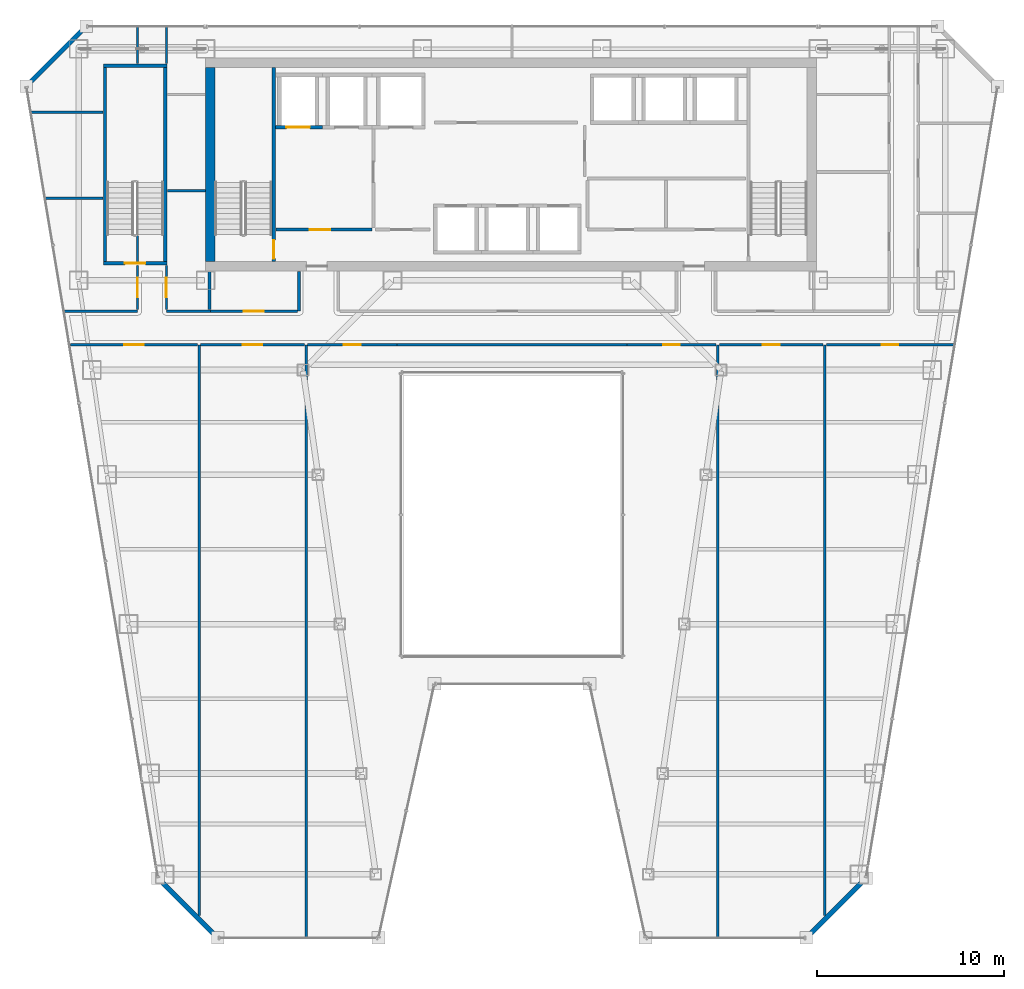
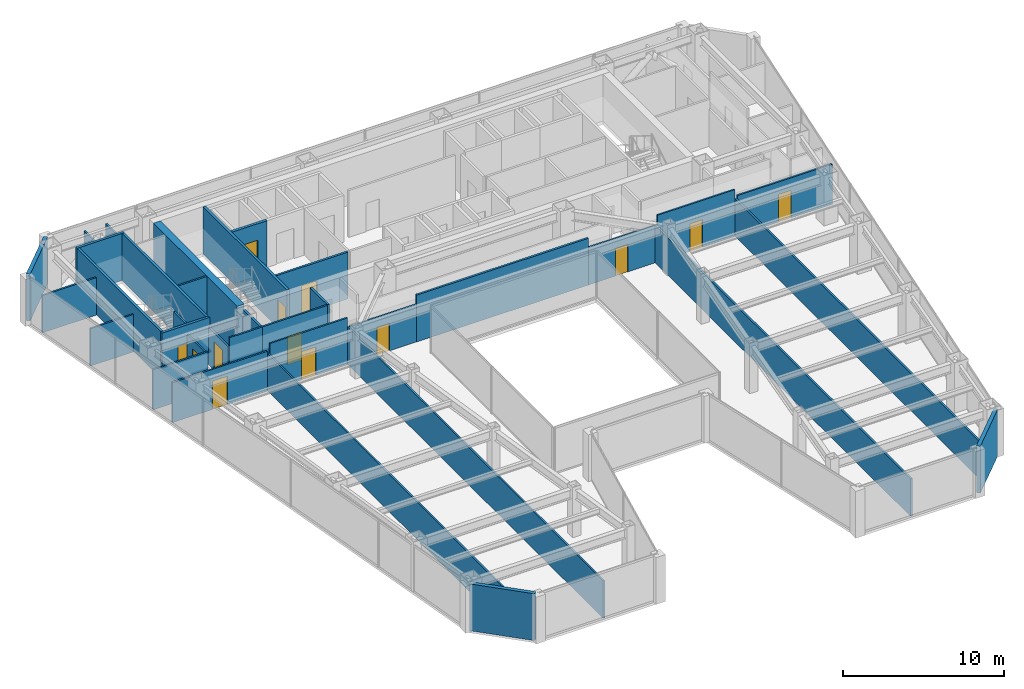
# One storey, part 33 of 40: 35 walls, 13 doors, 13 openings.
"""IFC4 building model written with IfcOpenShell, lengths in metres."""

from ifc_helpers import new_model, si_unit, direction, frame, frame_2d, origin, place, context, subcontext, project, spatial, rectangle, extrude, material, layer, layer_set, type_object, element, fill, save


model = new_model("IFC4")

# Units and contexts
model_context = context("Model", 3, precision=1e-05, world=origin(), true_north=direction((0.0, 1.0)))
body_context = subcontext(model_context, "Body", "Model", "MODEL_VIEW")
ifc_project = project(units=[si_unit("LENGTHUNIT", "METRE"), si_unit("AREAUNIT", "SQUARE_METRE"), si_unit("VOLUMEUNIT", "CUBIC_METRE"), si_unit("PLANEANGLEUNIT", "RADIAN"), si_unit("MASSUNIT", "GRAM", prefix="KILO")], contexts=[model_context])

# Site, building, storey
site_placement = place(None, origin())
site = spatial("IfcSite", under=ifc_project, at=site_placement, CompositionType="ELEMENT")
building_placement = place(site_placement, origin())
building = spatial("IfcBuilding", under=site, at=building_placement, Name="Saevonmaru Cultural Tower", CompositionType="ELEMENT")
storey_placement = place(building_placement, frame((0.0, 0.0, 129.60009765625)))
storey = spatial("IfcBuildingStorey", under=building, at=storey_placement, Name="L27", CompositionType="ELEMENT", Elevation=129.60009765625)

# Wall
ifc_material_1 = material(Name="Concrete C60/75", Category="concrete")
ifc_layer_1 = layer(ifc_material_1, 0.5, Name="Concrete C60/75")
ifc_layer_set_1 = layer_set([ifc_layer_1], Name="Concrete C60/75")
wall_type_1 = type_object("IfcWallType", Name="WL-CORE-500", PredefinedType="SHEAR", material=ifc_layer_set_1)
wall_1_placement = place(storey_placement, frame((13.85009765625, 43.39990234375, 0.0), z_axis=(0.0, 0.0, 1.0), x_axis=(0.0, 1.0, 0.0)))
element("IfcWall", 1, at=wall_1_placement, inside=storey, type_object=wall_type_1, Name="L27 Tower RC core shear wall W", PredefinedType="SHEAR", context=body_context, shape_type="SweptSolid", body=[
    extrude(rectangle(XDim=10.400146484375, YDim=0.5, at=frame_2d((5.2001953125, 0.0))), origin(), (0.0, 0.0, 1.0), 3.5498046875),
])

# Wall, opening, door
ifc_material_2 = material(Name="Gypsum Fireboard Partition", Category="gypsum")
ifc_layer_2 = layer(ifc_material_2, 0.14990234375, Name="Gypsum Fireboard Partition")
ifc_layer_set_2 = layer_set([ifc_layer_2], Name="Gypsum Fireboard Partition")
wall_type_2 = type_object("IfcWallType", Name="WL-CORE-PART-150", PredefinedType="PARTITIONING", material=ifc_layer_set_2)
wall_2_placement = place(storey_placement, frame((17.360107421875, 45.1201171875, 0.0), z_axis=(0.0, 0.0, 1.0), x_axis=(1.0, 0.0, 0.0)))
wall_2 = element("IfcWall", 2, at=wall_2_placement, inside=storey, type_object=wall_type_2, Name="L27 Firefighting Lift Lobby South Wall", PredefinedType="PARTITIONING", context=body_context, shape_type="SweptSolid", body=[
    extrude(rectangle(XDim=5.139892578125, YDim=0.14990234375, at=frame_2d((2.56982421875, 0.0))), origin(), (0.0, 0.0, 1.0), 3.5498046875),
])
opening_1_placement = place(wall_2_placement, frame((1.800048828125, 0.0, 0.0)))
opening_1 = element("IfcOpeningElement", 3, at=opening_1_placement, cuts=wall_2, Name="Opening FD-2", PredefinedType="OPENING", context=body_context, shape_type="SweptSolid", body=[
    extrude(rectangle(XDim=1.10009765625, YDim=2.14990234375, at=frame_2d((0.550048828125, 1.074951171875))), frame((0.0, 0.0849609375, 0.0), z_axis=(0.0, -1.0, 0.0), x_axis=(1.0, 0.0, 0.0)), (0.0, 0.0, 1.0), 0.169921875),
])
ifc_material_3 = material(Name="Satin Bronze Anodised Aluminium", Category="aluminium")
door_type_1 = type_object("IfcDoorType", Name="DR-FD60-1100", OperationType="SINGLE_SWING_LEFT", PredefinedType="DOOR", material=ifc_material_3)
door_1_placement = place(opening_1_placement, origin())
door_1 = element("IfcDoor", 4, at=door_1_placement, inside=storey, type_object=door_type_1, Name="L27 Firefighting Lift Lobby South Door", OperationType="SINGLE_SWING_LEFT", OverallHeight=2.14990234375, OverallWidth=1.10009765625, PredefinedType="DOOR", context=body_context, shape_type="SweptSolid", body=[
    extrude(rectangle(XDim=1.10009765625, YDim=2.14990234375, at=frame_2d((0.550048828125, 1.074951171875))), frame((0.0, 0.02490234375, 0.0), z_axis=(0.0, -1.0, 0.0), x_axis=(1.0, 0.0, 0.0)), (0.0, 0.0, 1.0), 0.050048828125),
])
fill(opening_1, door_1)

# Walls
ifc_material_4 = material(Name="Granite-Clad Precast Concrete C40/50", Category="masonry")
ifc_layer_3 = layer(ifc_material_4, 0.260009765625, Name="Granite-Clad Precast Concrete C40/50")
ifc_layer_set_3 = layer_set([ifc_layer_3], Name="Granite-Clad Precast Concrete C40/50")
wall_type_3 = type_object("IfcWallType", Name="WL-EXT-SPANDREL-260", PredefinedType="STANDARD", material=ifc_layer_set_3)
for number, where, z_axis, x_axis, name in (
    (5, (11.162109375, 10.286865234375, 0.0), (0.0, 0.0, 1.0), (0.70707775441, -0.707135806771, 0.0), "L27 Chamfer Corner Spandrel Wall E1"),
    (6, (45.8642578125, 7.31298828125, 0.0), (0.0, 0.0, 1.0), (0.70707775441, 0.707135806771, 0.0), "L27 Chamfer Corner Spandrel Wall E7"),
):
    element("IfcWall", number, at=place(storey_placement, frame(where, z_axis=z_axis, x_axis=x_axis)), inside=storey, type_object=wall_type_3, Name=name, PredefinedType="STANDARD", context=body_context, shape_type="SweptSolid", body=[
        extrude(rectangle(XDim=4.20556640625, YDim=0.260009765625, at=frame_2d((2.102783203125, 0.0))), origin(), (0.0, 0.0, 1.0), 3.5498046875),
    ])
wall_3_placement = place(storey_placement, frame((7.0869140625, 55.886962890625, 0.0), z_axis=(0.0, 0.0, 1.0), x_axis=(-0.707106781187, -0.707106781187, 0.0)))
element("IfcWall", 7, at=wall_3_placement, inside=storey, type_object=wall_type_3, Name="L27 Chamfer Corner Spandrel Wall E11", PredefinedType="STANDARD", context=body_context, shape_type="SweptSolid", body=[
    extrude(rectangle(XDim=4.205810546875, YDim=0.260009765625, at=frame_2d((2.10302734375, 0.0))), origin(), (0.0, 0.0, 1.0), 3.5498046875),
])
ifc_layer_4 = layer(ifc_material_2, 0.14990234375, Name="Gypsum Fireboard Partition")
ifc_layer_set_4 = layer_set([ifc_layer_4], Name="Gypsum Fireboard Partition")
wall_type_4 = type_object("IfcWallType", Name="WL-PART-FIRE-150", PredefinedType="PARTITIONING", material=ifc_layer_set_4)
wall_4_placement = place(storey_placement, frame((13.800048828125, 40.830078125, 0.0), z_axis=(0.0, 0.0, 1.0), x_axis=(0.0, 1.0, 0.0)))
element("IfcWall", 8, at=wall_4_placement, inside=storey, type_object=wall_type_4, Name="L27 Core Portal Side Wall W0", PredefinedType="PARTITIONING", context=body_context, shape_type="SweptSolid", body=[
    extrude(rectangle(XDim=2.0498046875, YDim=0.14990234375, at=frame_2d((1.02490234375, 0.0))), origin(), (0.0, 0.0, 1.0), 3.5498046875),
])
wall_5_placement = place(storey_placement, frame((18.60009765625, 40.75, 0.0), z_axis=(0.0, 0.0, 1.0), x_axis=(0.0, 1.0, 0.0)))
element("IfcWall", 9, at=wall_5_placement, inside=storey, type_object=wall_type_4, Name="L27 Core Portal Side Wall W1", PredefinedType="PARTITIONING", context=body_context, shape_type="SweptSolid", body=[
    extrude(rectangle(XDim=2.1298828125, YDim=0.14990234375, at=frame_2d((1.06494140625, 0.0))), origin(), (0.0, 0.0, 1.0), 3.5498046875),
])
wall_6_placement = place(storey_placement, frame((23.85009765625, 38.949951171875, 0.0), z_axis=(0.0, 0.0, 1.0), x_axis=(1.0, 0.0, 0.0)))
element("IfcWall", 10, at=wall_6_placement, inside=storey, type_object=wall_type_4, Name="L27 North Atrium Corridor Wall", PredefinedType="PARTITIONING", context=body_context, shape_type="SweptSolid", body=[
    extrude(rectangle(XDim=12.2998046875, YDim=0.14990234375, at=frame_2d((6.14990234375, 0.0))), origin(), (0.0, 0.0, 1.0), 3.5498046875),
])
ifc_layer_5 = layer(ifc_material_2, 0.1201171875, Name="Gypsum Fireboard Partition")
ifc_layer_set_5 = layer_set([ifc_layer_5], Name="Gypsum Fireboard Partition")
wall_type_5 = type_object("IfcWallType", Name="WL-PART-GYP-120", PredefinedType="PARTITIONING", material=ifc_layer_set_5)
wall_7_placement = place(storey_placement, frame((6.00830078125, 40.75, 0.0), z_axis=(0.0, 0.0, 1.0), x_axis=(1.0, 0.0, 0.0)))
element("IfcWall", 11, at=wall_7_placement, inside=storey, type_object=wall_type_5, Name="L27 NW Wing South Wall", PredefinedType="PARTITIONING", context=body_context, shape_type="SweptSolid", body=[
    extrude(rectangle(XDim=3.941650390625, YDim=0.1201171875, at=frame_2d((1.970703125, 0.0))), origin(), (0.0, 0.0, 1.0), 3.034912109375),
])
wall_8_placement = place(storey_placement, frame((11.5, 40.75, 0.0), z_axis=(0.0, 0.0, 1.0), x_axis=(1.0, 0.0, 0.0)))
element("IfcWall", 12, at=wall_8_placement, inside=storey, type_object=wall_type_5, Name="L27 NW Inner South Wall", PredefinedType="PARTITIONING", context=body_context, shape_type="SweptSolid", body=[
    extrude(rectangle(XDim=2.35009765625, YDim=0.1201171875, at=frame_2d((1.175048828125, 0.0))), origin(), (0.0, 0.0, 1.0), 3.5498046875),
])
wall_9_placement = place(storey_placement, frame((11.5, 54.0, 0.0), z_axis=(0.0, 0.0, 1.0), x_axis=(0.0, 1.0, 0.0)))
element("IfcWall", 13, at=wall_9_placement, inside=storey, type_object=wall_type_5, Name="L27 Typography Design Classroom Corridor Wall", PredefinedType="PARTITIONING", context=body_context, shape_type="SweptSolid", body=[
    extrude(rectangle(XDim=1.9951171875, YDim=0.1201171875, at=frame_2d((0.99755859375, 0.0))), origin(), (0.0, 0.0, 1.0), 2.934814453125),
])
wall_10_placement = place(storey_placement, frame((5.002685546875, 46.800048828125, 0.0), z_axis=(0.0, 0.0, 1.0), x_axis=(1.0, 0.0, 0.0)))
element("IfcWall", 14, at=wall_10_placement, inside=storey, type_object=wall_type_5, Name="L27 NW Studio Divider 1", PredefinedType="PARTITIONING", context=body_context, shape_type="SweptSolid", body=[
    extrude(rectangle(XDim=3.097412109375, YDim=0.1201171875, at=frame_2d((1.548828125, 0.0))), origin(), (0.0, 0.0, 1.0), 2.8349609375),
])
wall_11_placement = place(storey_placement, frame((4.23779296875, 51.39990234375, 0.0), z_axis=(0.0, 0.0, 1.0), x_axis=(1.0, 0.0, 0.0)))
element("IfcWall", 15, at=wall_11_placement, inside=storey, type_object=wall_type_5, Name="L27 NW Studio Divider 2", PredefinedType="PARTITIONING", context=body_context, shape_type="SweptSolid", body=[
    extrude(rectangle(XDim=3.8623046875, YDim=0.1201171875, at=frame_2d((1.93115234375, 0.0))), origin(), (0.0, 0.0, 1.0), 2.8349609375),
])

# Wall, opening, door
wall_12_placement = place(storey_placement, frame((9.949951171875, 40.830078125, 0.0), z_axis=(0.0, 0.0, 1.0), x_axis=(0.0, 1.0, 0.0)))
wall_12 = element("IfcWall", 16, at=wall_12_placement, inside=storey, type_object=wall_type_5, Name="L27 Rare Folio Reading Room Corridor Wall", PredefinedType="PARTITIONING", context=body_context, shape_type="SweptSolid", body=[
    extrude(rectangle(XDim=2.369873046875, YDim=0.1201171875, at=frame_2d((1.18505859375, 0.0))), origin(), (0.0, 0.0, 1.0), 2.8349609375),
])
opening_2_placement = place(wall_12_placement, frame((0.659912109375, 0.0, 0.0)))
opening_2 = element("IfcOpeningElement", 17, at=opening_2_placement, cuts=wall_12, Name="Opening ID-1", PredefinedType="OPENING", context=body_context, shape_type="SweptSolid", body=[
    extrude(rectangle(XDim=1.050048828125, YDim=2.14990234375, at=frame_2d((0.52490234375, 1.074951171875))), frame((0.0, 0.070068359375, 0.0), z_axis=(0.0, -1.0, 0.0), x_axis=(1.0, 0.0, 0.0)), (0.0, 0.0, 1.0), 0.14013671875),
])
door_type_2 = type_object("IfcDoorType", Name="DR-INT-1050", OperationType="SINGLE_SWING_LEFT", PredefinedType="DOOR", material=ifc_material_3)
door_2_placement = place(opening_2_placement, origin())
door_2 = element("IfcDoor", 18, at=door_2_placement, inside=storey, type_object=door_type_2, Name="L27 Rare Folio Reading Room Door", OperationType="SINGLE_SWING_LEFT", OverallHeight=2.14990234375, OverallWidth=1.050048828125, PredefinedType="DOOR", context=body_context, shape_type="SweptSolid", body=[
    extrude(rectangle(XDim=1.050048828125, YDim=2.14990234375, at=frame_2d((0.52490234375, 1.074951171875))), frame((0.0, 0.02490234375, 0.0), z_axis=(0.0, -1.0, 0.0), x_axis=(1.0, 0.0, 0.0)), (0.0, 0.0, 1.0), 0.050048828125),
])
fill(opening_2, door_2)

# Walls
wall_13_placement = place(storey_placement, frame((9.949951171875, 43.419921875, 0.0), z_axis=(0.0, 0.0, 1.0), x_axis=(0.0, 1.0, 0.0)))
element("IfcWall", 19, at=wall_13_placement, inside=storey, type_object=wall_type_5, Name="L27 Rare Folio Reading Room Corridor Wall (2)", PredefinedType="PARTITIONING", context=body_context, shape_type="SweptSolid", body=[
    extrude(rectangle(XDim=1.4501953125, YDim=0.1201171875, at=frame_2d((0.72509765625, 0.0))), origin(), (0.0, 0.0, 1.0), 3.5498046875),
])
wall_14_placement = place(storey_placement, frame((9.949951171875, 54.0, 0.0), z_axis=(0.0, 0.0, 1.0), x_axis=(0.0, 1.0, 0.0)))
element("IfcWall", 20, at=wall_14_placement, inside=storey, type_object=wall_type_5, Name="L27 Typography Design Classroom Corridor Wall", PredefinedType="PARTITIONING", context=body_context, shape_type="SweptSolid", body=[
    extrude(rectangle(XDim=1.9951171875, YDim=0.1201171875, at=frame_2d((0.99755859375, 0.0))), origin(), (0.0, 0.0, 1.0), 2.934814453125),
])
wall_15_placement = place(storey_placement, frame((11.550048828125, 47.199951171875, 0.0), z_axis=(0.0, 0.0, 1.0), x_axis=(1.0, 0.0, 0.0)))
element("IfcWall", 21, at=wall_15_placement, inside=storey, type_object=wall_type_5, Name="L27 NW Inner Divider", PredefinedType="PARTITIONING", context=body_context, shape_type="SweptSolid", body=[
    extrude(rectangle(XDim=2.030029296875, YDim=0.1201171875, at=frame_2d((1.01513671875, 0.0))), origin(), (0.0, 0.0, 1.0), 3.5498046875),
])

# Wall, opening, door
wall_16_placement = place(storey_placement, frame((11.5, 40.830078125, 0.0), z_axis=(0.0, 0.0, 1.0), x_axis=(0.0, 1.0, 0.0)))
wall_16 = element("IfcWall", 22, at=wall_16_placement, inside=storey, type_object=wall_type_5, Name="L27 Art History Reading Room Corridor Wall", PredefinedType="PARTITIONING", context=body_context, shape_type="SweptSolid", body=[
    extrude(rectangle(XDim=2.369873046875, YDim=0.1201171875, at=frame_2d((1.18505859375, 0.0))), origin(), (0.0, 0.0, 1.0), 2.8349609375),
])
opening_3_placement = place(wall_16_placement, frame((0.659912109375, 0.0, 0.0)))
opening_3 = element("IfcOpeningElement", 23, at=opening_3_placement, cuts=wall_16, Name="Opening ID-1", PredefinedType="OPENING", context=body_context, shape_type="SweptSolid", body=[
    extrude(rectangle(XDim=1.050048828125, YDim=2.14990234375, at=frame_2d((0.52490234375, 1.074951171875))), frame((0.0, 0.070068359375, 0.0), z_axis=(0.0, -1.0, 0.0), x_axis=(1.0, 0.0, 0.0)), (0.0, 0.0, 1.0), 0.14013671875),
])
door_3_placement = place(opening_3_placement, origin())
door_3 = element("IfcDoor", 24, at=door_3_placement, inside=storey, type_object=door_type_2, Name="L27 Art History Reading Room Door", OperationType="SINGLE_SWING_RIGHT", OverallHeight=2.14990234375, OverallWidth=1.050048828125, PredefinedType="DOOR", context=body_context, shape_type="SweptSolid", body=[
    extrude(rectangle(XDim=1.050048828125, YDim=2.14990234375, at=frame_2d((0.52490234375, 1.074951171875))), frame((0.0, 0.02490234375, 0.0), z_axis=(0.0, -1.0, 0.0), x_axis=(1.0, 0.0, 0.0)), (0.0, 0.0, 1.0), 0.050048828125),
])
fill(opening_3, door_3)

wall_17_placement = place(storey_placement, frame((13.85009765625, 40.75, 0.0), z_axis=(0.0, 0.0, 1.0), x_axis=(1.0, 0.0, 0.0)))
wall_17 = element("IfcWall", 25, at=wall_17_placement, inside=storey, type_object=wall_type_5, Name="L27 Rare Folio Reading Room Corridor Wall", PredefinedType="PARTITIONING", context=body_context, shape_type="SweptSolid", body=[
    extrude(rectangle(XDim=4.65478515625, YDim=0.1201171875, at=frame_2d((2.327392578125, 0.0))), origin(), (0.0, 0.0, 1.0), 3.5498046875),
])
opening_4_placement = place(wall_17_placement, frame((1.802001953125, 0.0, 0.0)))
opening_4 = element("IfcOpeningElement", 26, at=opening_4_placement, cuts=wall_17, Name="Opening ID-1", PredefinedType="OPENING", context=body_context, shape_type="SweptSolid", body=[
    extrude(rectangle(XDim=1.050048828125, YDim=2.14990234375, at=frame_2d((0.52490234375, 1.074951171875))), frame((0.0, 0.070068359375, 0.0), z_axis=(0.0, -1.0, 0.0), x_axis=(1.0, 0.0, 0.0)), (0.0, 0.0, 1.0), 0.14013671875),
])
door_4_placement = place(opening_4_placement, origin())
door_4 = element("IfcDoor", 27, at=door_4_placement, inside=storey, type_object=door_type_2, Name="L27 Rare Folio Reading Room Door", OperationType="SINGLE_SWING_RIGHT", OverallHeight=2.14990234375, OverallWidth=1.050048828125, PredefinedType="DOOR", context=body_context, shape_type="SweptSolid", body=[
    extrude(rectangle(XDim=1.050048828125, YDim=2.14990234375, at=frame_2d((0.52490234375, 1.074951171875))), frame((0.0, 0.02490234375, 0.0), z_axis=(0.0, -1.0, 0.0), x_axis=(1.0, 0.0, 0.0)), (0.0, 0.0, 1.0), 0.050048828125),
])
fill(opening_4, door_4)

# Walls
wall_18_placement = place(storey_placement, frame((13.25, 8.410888671875, 0.0), z_axis=(0.0, 0.0, 1.0), x_axis=(0.0, 1.0, 0.0)))
element("IfcWall", 28, at=wall_18_placement, inside=storey, type_object=wall_type_5, Name="L27 West Bay Divider 1", PredefinedType="PARTITIONING", context=body_context, shape_type="SweptSolid", body=[
    extrude(rectangle(XDim=30.5390625, YDim=0.1201171875, at=frame_2d((15.26953125, 0.0))), origin(), (0.0, 0.0, 1.0), 2.8349609375),
])
wall_19_placement = place(storey_placement, frame((18.97998046875, 7.205078125, 0.0), z_axis=(0.0, 0.0, 1.0), x_axis=(0.0, 1.0, 0.0)))
element("IfcWall", 29, at=wall_19_placement, inside=storey, type_object=wall_type_5, Name="L27 West Bay Divider 2", PredefinedType="PARTITIONING", context=body_context, shape_type="SweptSolid", body=[
    extrude(rectangle(XDim=31.744873046875, YDim=0.1201171875, at=frame_2d((15.87255859375, 0.0))), origin(), (0.0, 0.0, 1.0), 2.8349609375),
])

# Wall, opening, door
wall_20_placement = place(storey_placement, frame((6.36279296875, 38.949951171875, 0.0), z_axis=(0.0, 0.0, 1.0), x_axis=(1.0, 0.0, 0.0)))
wall_20 = element("IfcWall", 30, at=wall_20_placement, inside=storey, type_object=wall_type_5, Name="L27 Rare Folio Reading Room Corridor Wall", PredefinedType="PARTITIONING", context=body_context, shape_type="SweptSolid", body=[
    extrude(rectangle(XDim=6.80712890625, YDim=0.1201171875, at=frame_2d((3.403564453125, 0.0))), origin(), (0.0, 0.0, 1.0), 3.034912109375),
])
opening_5_placement = place(wall_20_placement, frame((2.87890625, 0.0, 0.0)))
opening_5 = element("IfcOpeningElement", 31, at=opening_5_placement, cuts=wall_20, Name="Opening ID-1", PredefinedType="OPENING", context=body_context, shape_type="SweptSolid", body=[
    extrude(rectangle(XDim=1.050048828125, YDim=2.14990234375, at=frame_2d((0.52490234375, 1.074951171875))), frame((0.0, 0.070068359375, 0.0), z_axis=(0.0, -1.0, 0.0), x_axis=(1.0, 0.0, 0.0)), (0.0, 0.0, 1.0), 0.14013671875),
])
door_5_placement = place(opening_5_placement, origin())
door_5 = element("IfcDoor", 32, at=door_5_placement, inside=storey, type_object=door_type_2, Name="L27 Rare Folio Reading Room Door", OperationType="SINGLE_SWING_LEFT", OverallHeight=2.14990234375, OverallWidth=1.050048828125, PredefinedType="DOOR", context=body_context, shape_type="SweptSolid", body=[
    extrude(rectangle(XDim=1.050048828125, YDim=2.14990234375, at=frame_2d((0.52490234375, 1.074951171875))), frame((0.0, 0.02490234375, 0.0), z_axis=(0.0, -1.0, 0.0), x_axis=(1.0, 0.0, 0.0)), (0.0, 0.0, 1.0), 0.050048828125),
])
fill(opening_5, door_5)

wall_21_placement = place(storey_placement, frame((13.330078125, 38.949951171875, 0.0), z_axis=(0.0, 0.0, 1.0), x_axis=(1.0, 0.0, 0.0)))
wall_21 = element("IfcWall", 33, at=wall_21_placement, inside=storey, type_object=wall_type_5, Name="L27 Art History Reading Room Corridor Wall", PredefinedType="PARTITIONING", context=body_context, shape_type="SweptSolid", body=[
    extrude(rectangle(XDim=5.56982421875, YDim=0.1201171875, at=frame_2d((2.784912109375, 0.0))), origin(), (0.0, 0.0, 1.0), 3.5498046875),
])
opening_6_placement = place(wall_21_placement, frame((2.260009765625, 0.0, 0.0)))
opening_6 = element("IfcOpeningElement", 34, at=opening_6_placement, cuts=wall_21, Name="Opening ID-1", PredefinedType="OPENING", context=body_context, shape_type="SweptSolid", body=[
    extrude(rectangle(XDim=1.050048828125, YDim=2.14990234375, at=frame_2d((0.52490234375, 1.074951171875))), frame((0.0, 0.070068359375, 0.0), z_axis=(0.0, -1.0, 0.0), x_axis=(1.0, 0.0, 0.0)), (0.0, 0.0, 1.0), 0.14013671875),
])
door_6_placement = place(opening_6_placement, origin())
door_6 = element("IfcDoor", 35, at=door_6_placement, inside=storey, type_object=door_type_2, Name="L27 Art History Reading Room Door", OperationType="SINGLE_SWING_RIGHT", OverallHeight=2.14990234375, OverallWidth=1.050048828125, PredefinedType="DOOR", context=body_context, shape_type="SweptSolid", body=[
    extrude(rectangle(XDim=1.050048828125, YDim=2.14990234375, at=frame_2d((0.52490234375, 1.074951171875))), frame((0.0, 0.02490234375, 0.0), z_axis=(0.0, -1.0, 0.0), x_axis=(1.0, 0.0, 0.0)), (0.0, 0.0, 1.0), 0.050048828125),
])
fill(opening_6, door_6)

wall_22_placement = place(storey_placement, frame((19.06005859375, 38.949951171875, 0.0), z_axis=(0.0, 0.0, 1.0), x_axis=(1.0, 0.0, 0.0)))
wall_22 = element("IfcWall", 36, at=wall_22_placement, inside=storey, type_object=wall_type_5, Name="L27 Typography Design Classroom Corridor Wall", PredefinedType="PARTITIONING", context=body_context, shape_type="SweptSolid", body=[
    extrude(rectangle(XDim=4.7900390625, YDim=0.1201171875, at=frame_2d((2.39501953125, 0.0))), origin(), (0.0, 0.0, 1.0), 2.8349609375),
])
opening_7_placement = place(wall_22_placement, frame((1.945068359375, 0.0, 0.0)))
opening_7 = element("IfcOpeningElement", 37, at=opening_7_placement, cuts=wall_22, Name="Opening ID-2", PredefinedType="OPENING", context=body_context, shape_type="SweptSolid", body=[
    extrude(rectangle(XDim=0.89990234375, YDim=2.10009765625, at=frame_2d((0.449951171875, 1.050048828125))), frame((0.0, 0.070068359375, 0.0), z_axis=(0.0, -1.0, 0.0), x_axis=(1.0, 0.0, 0.0)), (0.0, 0.0, 1.0), 0.14013671875),
])
ifc_material_5 = material(Name="Acoustic Stained Oak Timber", Category="wood")
door_type_3 = type_object("IfcDoorType", Name="DR-INT-900", OperationType="SINGLE_SWING_RIGHT", PredefinedType="DOOR", material=ifc_material_5)
door_7_placement = place(opening_7_placement, origin())
door_7 = element("IfcDoor", 38, at=door_7_placement, inside=storey, type_object=door_type_3, Name="L27 Typography Design Classroom Door", OperationType="SINGLE_SWING_LEFT", OverallHeight=2.10009765625, OverallWidth=0.89990234375, PredefinedType="DOOR", context=body_context, shape_type="SweptSolid", body=[
    extrude(rectangle(XDim=0.89990234375, YDim=2.10009765625, at=frame_2d((0.449951171875, 1.050048828125))), frame((0.0, 0.02490234375, 0.0), z_axis=(0.0, -1.0, 0.0), x_axis=(1.0, 0.0, 0.0)), (0.0, 0.0, 1.0), 0.050048828125),
])
fill(opening_7, door_7)

wall_23_placement = place(storey_placement, frame((36.14990234375, 38.949951171875, 0.0), z_axis=(0.0, 0.0, 1.0), x_axis=(1.0, 0.0, 0.0)))
wall_23 = element("IfcWall", 39, at=wall_23_placement, inside=storey, type_object=wall_type_5, Name="L27 Typography Design Classroom Corridor Wall", PredefinedType="PARTITIONING", context=body_context, shape_type="SweptSolid", body=[
    extrude(rectangle(XDim=4.78271484375, YDim=0.1201171875, at=frame_2d((2.391357421875, 0.0))), origin(), (0.0, 0.0, 1.0), 2.8349609375),
])
opening_8_placement = place(wall_23_placement, frame((1.94091796875, 0.0, 0.0)))
opening_8 = element("IfcOpeningElement", 40, at=opening_8_placement, cuts=wall_23, Name="Opening ID-2", PredefinedType="OPENING", context=body_context, shape_type="SweptSolid", body=[
    extrude(rectangle(XDim=0.89990234375, YDim=2.10009765625, at=frame_2d((0.449951171875, 1.050048828125))), frame((0.0, 0.070068359375, 0.0), z_axis=(0.0, -1.0, 0.0), x_axis=(1.0, 0.0, 0.0)), (0.0, 0.0, 1.0), 0.14013671875),
])
door_8_placement = place(opening_8_placement, origin())
door_8 = element("IfcDoor", 41, at=door_8_placement, inside=storey, type_object=door_type_3, Name="L27 Typography Design Classroom Door", OperationType="SINGLE_SWING_RIGHT", OverallHeight=2.10009765625, OverallWidth=0.89990234375, PredefinedType="DOOR", context=body_context, shape_type="SweptSolid", body=[
    extrude(rectangle(XDim=0.89990234375, YDim=2.10009765625, at=frame_2d((0.449951171875, 1.050048828125))), frame((0.0, 0.02490234375, 0.0), z_axis=(0.0, -1.0, 0.0), x_axis=(1.0, 0.0, 0.0)), (0.0, 0.0, 1.0), 0.050048828125),
])
fill(opening_8, door_8)

wall_24_placement = place(storey_placement, frame((41.107421875, 38.949951171875, 0.0), z_axis=(0.0, 0.0, 1.0), x_axis=(1.0, 0.0, 0.0)))
wall_24 = element("IfcWall", 42, at=wall_24_placement, inside=storey, type_object=wall_type_5, Name="L27 Calligraphy Teaching Studio Corridor Wall", PredefinedType="PARTITIONING", context=body_context, shape_type="SweptSolid", body=[
    extrude(rectangle(XDim=5.55517578125, YDim=0.1201171875, at=frame_2d((2.777587890625, 0.0))), origin(), (0.0, 0.0, 1.0), 3.5498046875),
])
opening_9_placement = place(wall_24_placement, frame((2.326904296875, 0.0, 0.0)))
opening_9 = element("IfcOpeningElement", 43, at=opening_9_placement, cuts=wall_24, Name="Opening ID-2", PredefinedType="OPENING", context=body_context, shape_type="SweptSolid", body=[
    extrude(rectangle(XDim=0.89990234375, YDim=2.10009765625, at=frame_2d((0.449951171875, 1.050048828125))), frame((0.0, 0.070068359375, 0.0), z_axis=(0.0, -1.0, 0.0), x_axis=(1.0, 0.0, 0.0)), (0.0, 0.0, 1.0), 0.14013671875),
])
door_9_placement = place(opening_9_placement, origin())
door_9 = element("IfcDoor", 44, at=door_9_placement, inside=storey, type_object=door_type_3, Name="L27 Calligraphy Teaching Studio Door", OperationType="SINGLE_SWING_LEFT", OverallHeight=2.10009765625, OverallWidth=0.89990234375, PredefinedType="DOOR", context=body_context, shape_type="SweptSolid", body=[
    extrude(rectangle(XDim=0.89990234375, YDim=2.10009765625, at=frame_2d((0.449951171875, 1.050048828125))), frame((0.0, 0.02490234375, 0.0), z_axis=(0.0, -1.0, 0.0), x_axis=(1.0, 0.0, 0.0)), (0.0, 0.0, 1.0), 0.050048828125),
])
fill(opening_9, door_9)

wall_25_placement = place(storey_placement, frame((46.83740234375, 38.949951171875, 0.0), z_axis=(0.0, 0.0, 1.0), x_axis=(1.0, 0.0, 0.0)))
wall_25 = element("IfcWall", 45, at=wall_25_placement, inside=storey, type_object=wall_type_5, Name="L27 Curatorial Board Meeting Room Corridor Wall", PredefinedType="PARTITIONING", context=body_context, shape_type="SweptSolid", body=[
    extrude(rectangle(XDim=6.7998046875, YDim=0.1201171875, at=frame_2d((3.39990234375, 0.0))), origin(), (0.0, 0.0, 1.0), 3.034912109375),
])
opening_10_placement = place(wall_25_placement, frame((2.949951171875, 0.0, 0.0)))
opening_10 = element("IfcOpeningElement", 46, at=opening_10_placement, cuts=wall_25, Name="Opening ID-2", PredefinedType="OPENING", context=body_context, shape_type="SweptSolid", body=[
    extrude(rectangle(XDim=0.89990234375, YDim=2.10009765625, at=frame_2d((0.449951171875, 1.050048828125))), frame((0.0, 0.070068359375, 0.0), z_axis=(0.0, -1.0, 0.0), x_axis=(1.0, 0.0, 0.0)), (0.0, 0.0, 1.0), 0.14013671875),
])
door_10_placement = place(opening_10_placement, origin())
door_10 = element("IfcDoor", 47, at=door_10_placement, inside=storey, type_object=door_type_3, Name="L27 Curatorial Board Meeting Room Door", OperationType="SINGLE_SWING_RIGHT", OverallHeight=2.10009765625, OverallWidth=0.89990234375, PredefinedType="DOOR", context=body_context, shape_type="SweptSolid", body=[
    extrude(rectangle(XDim=0.89990234375, YDim=2.10009765625, at=frame_2d((0.449951171875, 1.050048828125))), frame((0.0, 0.02490234375, 0.0), z_axis=(0.0, -1.0, 0.0), x_axis=(1.0, 0.0, 0.0)), (0.0, 0.0, 1.0), 0.050048828125),
])
fill(opening_10, door_10)

# Walls
ifc_layer_6 = layer(ifc_material_2, 0.135009765625, Name="Gypsum Fireboard Partition")
ifc_layer_set_6 = layer_set([ifc_layer_6], Name="Gypsum Fireboard Partition")
wall_type_6 = type_object("IfcWallType", Name="WL-PART-GYP-135", PredefinedType="PARTITIONING", material=ifc_layer_set_6)
wall_26_placement = place(storey_placement, frame((41.02001953125, 7.205078125, 0.0), z_axis=(0.0, 0.0, 1.0), x_axis=(0.0, 1.0, 0.0)))
element("IfcWall", 48, at=wall_26_placement, inside=storey, type_object=wall_type_6, Name="L27 East Bay Divider 1", PredefinedType="PARTITIONING", context=body_context, shape_type="SweptSolid", body=[
    extrude(rectangle(XDim=31.744873046875, YDim=0.135009765625, at=frame_2d((15.87255859375, 0.0))), origin(), (0.0, 0.0, 1.0), 2.8349609375),
])
wall_27_placement = place(storey_placement, frame((46.75, 8.410888671875, 0.0), z_axis=(0.0, 0.0, 1.0), x_axis=(0.0, 1.0, 0.0)))
element("IfcWall", 49, at=wall_27_placement, inside=storey, type_object=wall_type_6, Name="L27 East Bay Divider 2", PredefinedType="PARTITIONING", context=body_context, shape_type="SweptSolid", body=[
    extrude(rectangle(XDim=30.5390625, YDim=0.135009765625, at=frame_2d((15.26953125, 0.0))), origin(), (0.0, 0.0, 1.0), 2.8349609375),
])

# Wall, opening, door
ifc_material_6 = material(Name="Concrete C40/50", Category="concrete")
ifc_layer_7 = layer(ifc_material_6, 0.199951171875, Name="Concrete C40/50")
ifc_layer_set_7 = layer_set([ifc_layer_7], Name="Concrete C40/50")
wall_type_7 = type_object("IfcWallType", Name="WL-SHAFT-200", PredefinedType="SHEAR", material=ifc_layer_set_7)
wall_28_placement = place(storey_placement, frame((17.330078125, 50.60009765625, 0.0), z_axis=(0.0, 0.0, 1.0), x_axis=(1.0, 0.0, 0.0)))
wall_28 = element("IfcWall", 50, at=wall_28_placement, inside=storey, type_object=wall_type_7, Name="L27 Lift FFL-1 Hoistway Wall S", PredefinedType="SHEAR", context=body_context, shape_type="SweptSolid", body=[
    extrude(rectangle(XDim=2.52001953125, YDim=0.199951171875, at=frame_2d((1.260009765625, 0.0))), origin(), (0.0, 0.0, 1.0), 3.5498046875),
])
opening_11_placement = place(wall_28_placement, frame((0.594970703125, 0.0, 0.0)))
opening_11 = element("IfcOpeningElement", 51, at=opening_11_placement, cuts=wall_28, Name="Opening LD-2", PredefinedType="OPENING", context=body_context, shape_type="SweptSolid", body=[
    extrude(rectangle(XDim=1.25, YDim=2.300048828125, at=frame_2d((0.625, 1.14990234375))), frame((0.0, 0.10986328125, 0.0), z_axis=(0.0, -1.0, 0.0), x_axis=(1.0, 0.0, 0.0)), (0.0, 0.0, 1.0), 0.219970703125),
])
ifc_material_7 = material(Name="Stainless Steel 316", Category="steel")
door_type_4 = type_object("IfcDoorType", Name="DR-LIFT-1250", OperationType="SLIDING_TO_LEFT", PredefinedType="DOOR", material=ifc_material_7)
door_11_placement = place(opening_11_placement, origin())
door_11 = element("IfcDoor", 52, at=door_11_placement, inside=storey, type_object=door_type_4, Name="L27 Lift FFL-1 Sliding Landing Door", OperationType="SLIDING_TO_LEFT", OverallHeight=2.300048828125, OverallWidth=1.25, PredefinedType="DOOR", context=body_context, shape_type="SweptSolid", body=[
    extrude(rectangle(XDim=1.25, YDim=2.300048828125, at=frame_2d((0.625, 1.14990234375))), frame((0.0, 0.02490234375, 0.0), z_axis=(0.0, -1.0, 0.0), x_axis=(1.0, 0.0, 0.0)), (0.0, 0.0, 1.0), 0.050048828125),
])
fill(opening_11, door_11)

ifc_layer_8 = layer(ifc_material_6, 0.179931640625, Name="Concrete C40/50")
ifc_layer_set_8 = layer_set([ifc_layer_8], Name="Concrete C40/50")
wall_type_8 = type_object("IfcWallType", Name="WL-STSHAFT-180", PredefinedType="SHEAR", material=ifc_layer_set_8)
wall_29_placement = place(storey_placement, frame((17.239990234375, 43.39990234375, 0.0), z_axis=(0.0, 0.0, 1.0), x_axis=(0.0, 1.0, 0.0)))
wall_29 = element("IfcWall", 53, at=wall_29_placement, inside=storey, type_object=wall_type_8, Name="L27 Stair ST-1 Structural Shaft Wall 1", PredefinedType="SHEAR", context=body_context, shape_type="SweptSolid", body=[
    extrude(rectangle(XDim=10.400146484375, YDim=0.179931640625, at=frame_2d((5.2001953125, 0.0))), origin(), (0.0, 0.0, 1.0), 3.5498046875),
])
opening_12_placement = place(wall_29_placement, frame((0.159912109375, 0.0, 0.0)))
opening_12 = element("IfcOpeningElement", 54, at=opening_12_placement, cuts=wall_29, Name="Opening FD-3", PredefinedType="OPENING", context=body_context, shape_type="SweptSolid", body=[
    extrude(rectangle(XDim=1.0, YDim=2.14990234375, at=frame_2d((0.5, 1.074951171875))), frame((0.0, 0.10009765625, 0.0), z_axis=(0.0, -1.0, 0.0), x_axis=(1.0, 0.0, 0.0)), (0.0, 0.0, 1.0), 0.199951171875),
])
door_type_5 = type_object("IfcDoorType", Name="DR-FD60-1000", OperationType="SINGLE_SWING_RIGHT", PredefinedType="DOOR", material=ifc_material_3)
door_12_placement = place(opening_12_placement, origin())
door_12 = element("IfcDoor", 55, at=door_12_placement, inside=storey, type_object=door_type_5, Name="L27 Protected Stair ST-1 Fire Door", OperationType="SINGLE_SWING_RIGHT", OverallHeight=2.14990234375, OverallWidth=1.0, PredefinedType="DOOR", context=body_context, shape_type="SweptSolid", body=[
    extrude(rectangle(XDim=1.0, YDim=2.14990234375, at=frame_2d((0.5, 1.074951171875))), frame((0.0, 0.02490234375, 0.0), z_axis=(0.0, -1.0, 0.0), x_axis=(1.0, 0.0, 0.0)), (0.0, 0.0, 1.0), 0.050048828125),
])
fill(opening_12, door_12)

wall_30_placement = place(storey_placement, frame((8.1201171875, 43.31005859375, 0.0), z_axis=(0.0, 0.0, 1.0), x_axis=(1.0, 0.0, 0.0)))
wall_30 = element("IfcWall", 56, at=wall_30_placement, inside=storey, type_object=wall_type_8, Name="L27 Stair ST-3 Structural Shaft Wall 1", PredefinedType="SHEAR", context=body_context, shape_type="SweptSolid", body=[
    extrude(rectangle(XDim=3.409912109375, YDim=0.179931640625, at=frame_2d((1.705078125, 0.0))), origin(), (0.0, 0.0, 1.0), 3.5498046875),
])
opening_13_placement = place(wall_30_placement, frame((1.14990234375, 0.0, 0.0)))
opening_13 = element("IfcOpeningElement", 57, at=opening_13_placement, cuts=wall_30, Name="Opening FD-2", PredefinedType="OPENING", context=body_context, shape_type="SweptSolid", body=[
    extrude(rectangle(XDim=1.10009765625, YDim=2.14990234375, at=frame_2d((0.550048828125, 1.074951171875))), frame((0.0, 0.10009765625, 0.0), z_axis=(0.0, -1.0, 0.0), x_axis=(1.0, 0.0, 0.0)), (0.0, 0.0, 1.0), 0.199951171875),
])
door_13_placement = place(opening_13_placement, origin())
door_13 = element("IfcDoor", 58, at=door_13_placement, inside=storey, type_object=door_type_1, Name="L27 Protected Stair ST-3 Fire Door", OperationType="SINGLE_SWING_LEFT", OverallHeight=2.14990234375, OverallWidth=1.10009765625, PredefinedType="DOOR", context=body_context, shape_type="SweptSolid", body=[
    extrude(rectangle(XDim=1.10009765625, YDim=2.14990234375, at=frame_2d((0.550048828125, 1.074951171875))), frame((0.0, 0.02490234375, 0.0), z_axis=(0.0, -1.0, 0.0), x_axis=(1.0, 0.0, 0.0)), (0.0, 0.0, 1.0), 0.050048828125),
])
fill(opening_13, door_13)

# Walls
wall_31_placement = place(storey_placement, frame((11.43994140625, 43.39990234375, 0.0), z_axis=(0.0, 0.0, 1.0), x_axis=(0.0, 1.0, 0.0)))
element("IfcWall", 59, at=wall_31_placement, inside=storey, type_object=wall_type_8, Name="L27 Stair ST-3 Structural Shaft Wall 2", PredefinedType="SHEAR", context=body_context, shape_type="SweptSolid", body=[
    extrude(rectangle(XDim=10.400146484375, YDim=0.179931640625, at=frame_2d((5.2001953125, 0.0))), origin(), (0.0, 0.0, 1.0), 3.5498046875),
])
wall_32_placement = place(storey_placement, frame((11.530029296875, 53.889892578125, 0.0), z_axis=(0.0, 0.0, 1.0), x_axis=(-1.0, 0.0, 0.0)))
element("IfcWall", 60, at=wall_32_placement, inside=storey, type_object=wall_type_8, Name="L27 Stair ST-3 Structural Shaft Wall 3", PredefinedType="SHEAR", context=body_context, shape_type="SweptSolid", body=[
    extrude(rectangle(XDim=3.409912109375, YDim=0.179931640625, at=frame_2d((1.705078125, 0.0))), origin(), (0.0, 0.0, 1.0), 3.5498046875),
])
wall_33_placement = place(storey_placement, frame((8.2099609375, 53.800048828125, 0.0), z_axis=(0.0, 0.0, 1.0), x_axis=(0.0, -1.0, 0.0)))
element("IfcWall", 61, at=wall_33_placement, inside=storey, type_object=wall_type_8, Name="L27 Stair ST-3 Structural Shaft Wall 4", PredefinedType="SHEAR", context=body_context, shape_type="SweptSolid", body=[
    extrude(rectangle(XDim=10.400146484375, YDim=0.179931640625, at=frame_2d((5.2001953125, 0.0))), origin(), (0.0, 0.0, 1.0), 3.5498046875),
])

save(model, "model.ifc")
